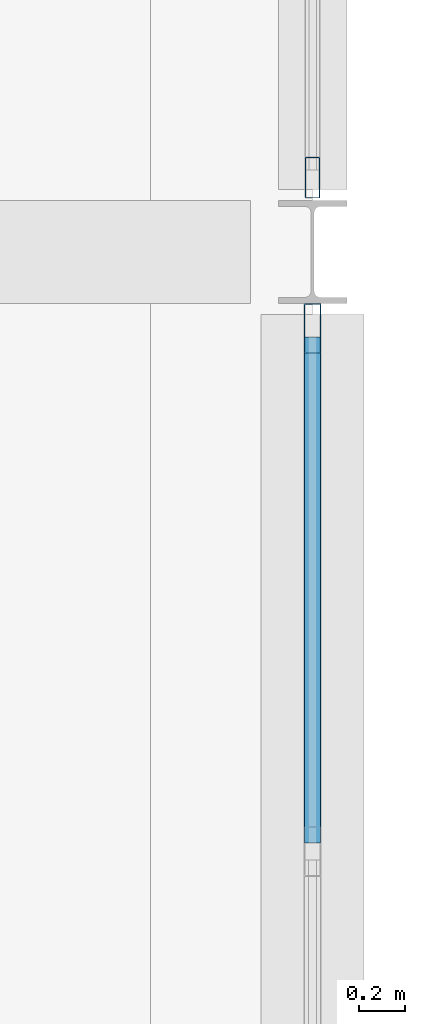
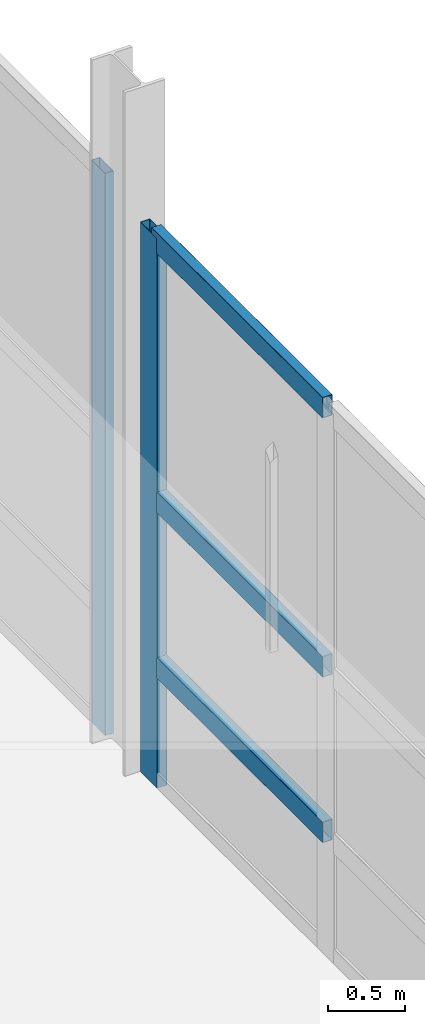
# One storey, part 40 of 126: 5 members, 2 elements without a shape of their own.
"""IFC4 building model written with IfcOpenShell, lengths in metres."""

from ifc_helpers import new_model, si_unit, direction, frame, origin, origin_2d, place, context, subcontext, project, spatial, hollow_rectangle, extrude, material, material_profile, profile_set, type_object, element, aggregate, save


model = new_model("IFC4")

# Units and contexts
model_context = context("Model", 3, precision=1e-05, world=origin(), true_north=direction((0.0, 1.0)))
body_context = subcontext(model_context, "Body", "Model", "MODEL_VIEW")
ifc_project = project(units=[si_unit("LENGTHUNIT", "METRE"), si_unit("AREAUNIT", "SQUARE_METRE"), si_unit("VOLUMEUNIT", "CUBIC_METRE"), si_unit("PLANEANGLEUNIT", "RADIAN"), si_unit("MASSUNIT", "GRAM", prefix="KILO")], contexts=[model_context])

# Site, building, storey
site_placement = place(None, origin())
site = spatial("IfcSite", under=ifc_project, at=site_placement, CompositionType="ELEMENT")
building_placement = place(site_placement, origin())
building = spatial("IfcBuilding", under=site, at=building_placement, Name="Khelvaren Railside Concert Hall", CompositionType="ELEMENT")
storey_placement = place(building_placement, origin())
storey = spatial("IfcBuildingStorey", under=building, at=storey_placement, Name="L00", CompositionType="ELEMENT", Elevation=0.0)

# Curtain wall, member
ifc_material_1 = material(Name="Triple-glazed solar-control glass", Category="glass")
curtain_wall_type_1 = type_object("IfcCurtainWallType", Name="CW41", PredefinedType="USERDEFINED", material=ifc_material_1)
curtain_wall_1_placement = place(storey_placement, origin())
curtain_wall_1 = element("IfcCurtainWall", 1, at=curtain_wall_1_placement, inside=storey, type_object=curtain_wall_type_1, Name="Unitised Curtain Wall CW-V2-L00-E-8", ObjectType="UNITISED CURTAIN WALL", PredefinedType="USERDEFINED")
ifc_material_2 = material(Name="Anodised architectural aluminium 6063-T6", Category="aluminium")
ifc_material_profile_1 = material_profile(ifc_material_2, hollow_rectangle(XDim=0.074951171875, YDim=0.219970703125, WallThickness=0.0048828125, InnerFilletRadius=0.0029296875, OuterFilletRadius=0.0048828125, at=origin_2d()), Name="CWM 75x220x5")
ifc_profile_set_1 = profile_set([ifc_material_profile_1], Name="Anodised architectural aluminium 6063-T6")
member_type_1 = type_object("IfcMemberType", Name="CWM13", PredefinedType="MULLION", material=ifc_profile_set_1)
member_1_placement = place(storey_placement, frame((184.0, 14.864990234375, 0.0), z_axis=(0.0, 0.0, 1.0), x_axis=(1.0, 0.0, 0.0)))
member_1 = element("IfcMember", 2, at=member_1_placement, type_object=member_type_1, Name="CW41 mullion 1", PredefinedType="MULLION", context=body_context, shape_type="SweptSolid", body=[
    extrude(hollow_rectangle(XDim=0.074951171875, YDim=0.219970703125, WallThickness=0.0048828125, InnerFilletRadius=0.0029296875, OuterFilletRadius=0.0048828125, at=origin_2d()), origin(), (0.0, 0.0, 1.0), 4.340087890625),
])

ifc_material_3 = material(Name="Double-glazed low-E dark acoustic glass", Category="glass")
curtain_wall_type_2 = type_object("IfcCurtainWallType", Name="CW94", PredefinedType="USERDEFINED", material=ifc_material_3)
curtain_wall_2_placement = place(storey_placement, origin())
curtain_wall_2 = element("IfcCurtainWall", 3, at=curtain_wall_2_placement, inside=storey, type_object=curtain_wall_type_2, Name="Unitised Curtain Wall CW-V2-L00-E-15", ObjectType="UNITISED CURTAIN WALL", PredefinedType="USERDEFINED")
ifc_material_profile_2 = material_profile(ifc_material_2, hollow_rectangle(XDim=0.06494140625, YDim=0.179931640625, WallThickness=0.00390625, InnerFilletRadius=0.001953125, OuterFilletRadius=0.00390625, at=origin_2d()), Name="CWM 65x180x4")
ifc_profile_set_2 = profile_set([ifc_material_profile_2], Name="Anodised architectural aluminium 6063-T6")
member_type_2 = type_object("IfcMemberType", Name="CWM63", PredefinedType="MULLION", material=ifc_profile_set_2)
member_2_placement = place(storey_placement, frame((184.0, 15.52490234375, 0.0), z_axis=(0.0, 0.0, 1.0), x_axis=(1.0, 0.0, 0.0)))
member_2 = element("IfcMember", 4, at=member_2_placement, type_object=member_type_2, Name="CW94 mullion 4", PredefinedType="MULLION", context=body_context, shape_type="SweptSolid", body=[
    extrude(hollow_rectangle(XDim=0.06494140625, YDim=0.179931640625, WallThickness=0.00390625, InnerFilletRadius=0.001953125, OuterFilletRadius=0.00390625, at=origin_2d()), origin(), (0.0, 0.0, 1.0), 4.43994140625),
])
aggregate(curtain_wall_2, [member_2])

# Member
ifc_material_profile_3 = material_profile(ifc_material_2, hollow_rectangle(XDim=0.074951171875, YDim=0.1650390625, WallThickness=0.00390625, InnerFilletRadius=0.001953125, OuterFilletRadius=0.00390625, at=origin_2d()), Name="CWT 75x165x4")
ifc_profile_set_3 = profile_set([ifc_material_profile_3], Name="Anodised architectural aluminium 6063-T6")
member_type_3 = type_object("IfcMemberType", Name="CWT46", PredefinedType="USERDEFINED", material=ifc_profile_set_3)
member_3_placement = place(storey_placement, frame((184.0, 14.827392578125, 0.949951171875), z_axis=(0.0, -1.0, 0.0), x_axis=(1.0, 0.0, 0.0)))
member_3 = element("IfcMember", 5, at=member_3_placement, type_object=member_type_3, Name="CW41 transom 1.2", ObjectType="TRANSOM", PredefinedType="USERDEFINED", context=body_context, shape_type="SweptSolid", body=[
    extrude(hollow_rectangle(XDim=0.074951171875, YDim=0.1650390625, WallThickness=0.00390625, InnerFilletRadius=0.001953125, OuterFilletRadius=0.00390625, at=origin_2d()), origin(), (0.0, 0.0, 1.0), 2.214111328125),
])

member_4_placement = place(storey_placement, frame((184.0, 14.827392578125, 2.2568359375), z_axis=(0.0, -1.0, 0.0), x_axis=(1.0, 0.0, 0.0)))
member_4 = element("IfcMember", 6, at=member_4_placement, type_object=member_type_3, Name="CW41 transom 1.3", ObjectType="TRANSOM", PredefinedType="USERDEFINED", context=body_context, shape_type="SweptSolid", body=[
    extrude(hollow_rectangle(XDim=0.074951171875, YDim=0.1650390625, WallThickness=0.00390625, InnerFilletRadius=0.001953125, OuterFilletRadius=0.00390625, at=origin_2d()), origin(), (0.0, 0.0, 1.0), 2.214111328125),
])

member_5_placement = place(storey_placement, frame((184.0, 14.827392578125, 4.302490234375), z_axis=(0.0, -1.0, 0.0), x_axis=(1.0, 0.0, 0.0)))
member_5 = element("IfcMember", 7, at=member_5_placement, type_object=member_type_3, Name="CW41 transom 1.4", ObjectType="TRANSOM", PredefinedType="USERDEFINED", context=body_context, shape_type="SweptSolid", body=[
    extrude(hollow_rectangle(XDim=0.074951171875, YDim=0.1650390625, WallThickness=0.00390625, InnerFilletRadius=0.001953125, OuterFilletRadius=0.00390625, at=origin_2d()), origin(), (0.0, 0.0, 1.0), 2.214111328125),
])

aggregate(curtain_wall_1, [member_1, member_3, member_4, member_5])

save(model, "model.ifc")
